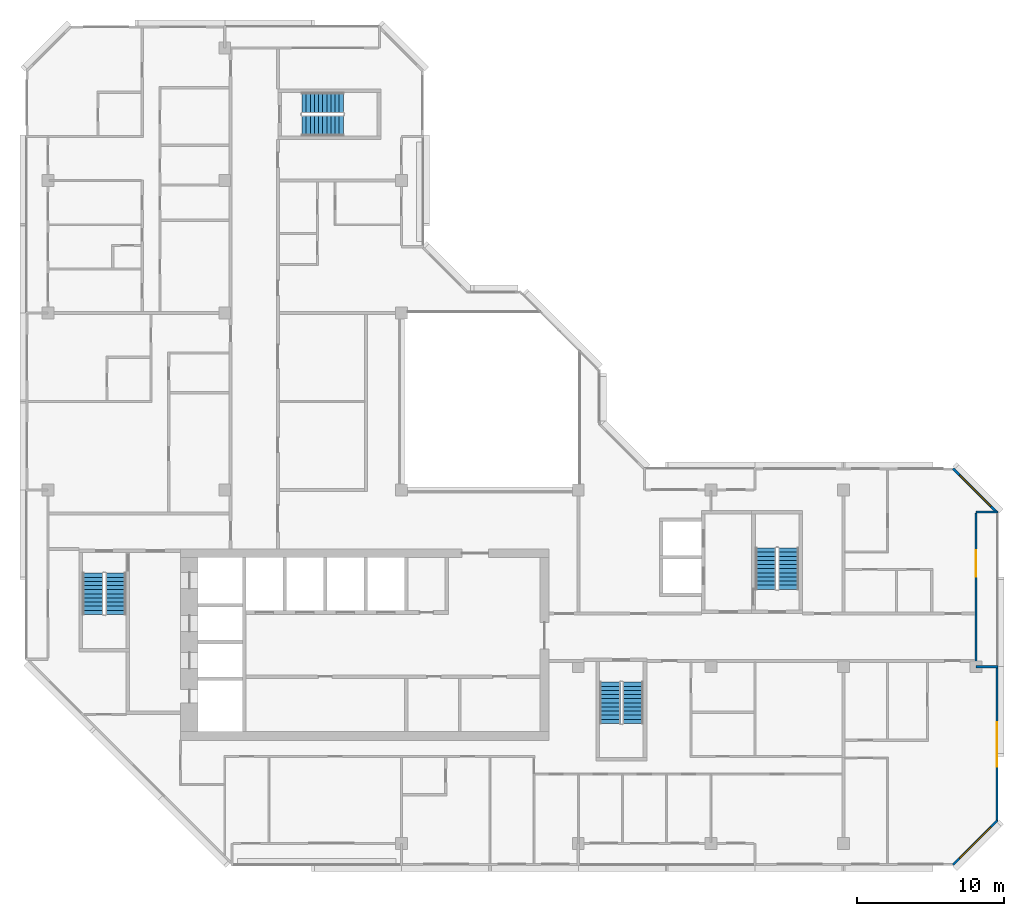
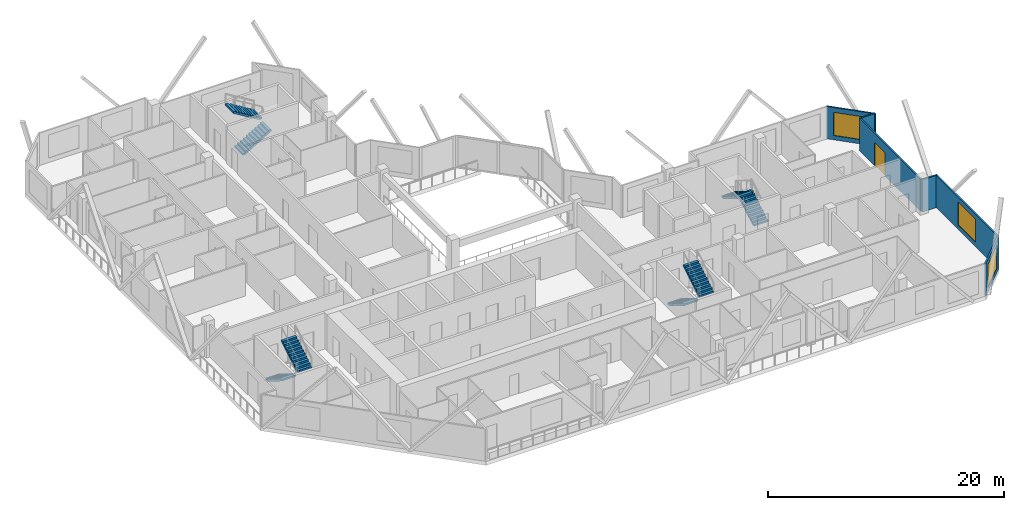
# One storey, part 11 of 13: 8 stair flights, 6 walls, 3 windows, 1 door, 4 openings, 4 elements without a shape of their own.
"""IFC4 building model written with IfcOpenShell, lengths in metres."""

from ifc_helpers import new_model, si_unit, direction, frame, frame_2d, origin, place, context, subcontext, project, spatial, polyline, rectangle, outline, extrude, material, layer, layer_set, type_object, element, fill, aggregate, save


model = new_model("IFC4")

# Units and contexts
model_context = context("Model", 3, precision=1e-05, world=origin(), true_north=direction((0.0, 1.0)))
body_context = subcontext(model_context, "Body", "Model", "MODEL_VIEW")
ifc_project = project(units=[si_unit("LENGTHUNIT", "METRE"), si_unit("AREAUNIT", "SQUARE_METRE"), si_unit("VOLUMEUNIT", "CUBIC_METRE"), si_unit("PLANEANGLEUNIT", "RADIAN"), si_unit("MASSUNIT", "GRAM", prefix="KILO")], contexts=[model_context])

# Site, building, storey
site_placement = place(None, origin())
site = spatial("IfcSite", under=ifc_project, at=site_placement, CompositionType="ELEMENT")
building_placement = place(site_placement, origin())
building = spatial("IfcBuilding", under=site, at=building_placement, Name="Chenar Terraces", CompositionType="ELEMENT")
storey_placement = place(building_placement, frame((0.0, 0.0, 295.89990234375)))
storey = spatial("IfcBuildingStorey", under=building, at=storey_placement, Name="L69", CompositionType="ELEMENT", Elevation=295.89990234375)

# Wall, opening, window
ifc_material_1 = material(Name="Aluminium framed glazing", Category="aluminium")
ifc_layer_1 = layer(ifc_material_1, 0.14990234375)
ifc_layer_set_1 = layer_set([ifc_layer_1], Name="Aluminium framed glazing")
wall_type_1 = type_object("IfcWallType", Name="Glazed flush facade wall 150", PredefinedType="SOLIDWALL", material=ifc_layer_set_1)
wall_1_placement = place(storey_placement, frame((64.425048828125, 1.5, 0.0), z_axis=(0.0, 0.0, 1.0), x_axis=(0.0, 1.0, 0.0)))
wall_1 = element("IfcWall", 1, at=wall_1_placement, inside=storey, type_object=wall_type_1, Name="Glazed flush facade wall", PredefinedType="SOLIDWALL", context=body_context, shape_type="SweptSolid", body=[
    extrude(rectangle(XDim=10.425048828125, YDim=0.14990234375, at=frame_2d((5.21240234375, 0.0))), origin(), (0.0, 0.0, 1.0), 3.35009765625),
])
opening_1_placement = place(wall_1_placement, frame((3.71240234375, 0.0, 0.449951171875)))
opening_1 = element("IfcOpeningElement", 2, at=opening_1_placement, cuts=wall_1, Name="Opening W300x240", PredefinedType="OPENING", context=body_context, shape_type="SweptSolid", body=[
    extrude(rectangle(XDim=3.0, YDim=2.39990234375, at=frame_2d((1.5, 1.199951171875))), frame((0.0, 0.0849609375, 0.0), z_axis=(0.0, -1.0, 0.0), x_axis=(1.0, 0.0, 0.0)), (0.0, 0.0, 1.0), 0.169921875),
])
ifc_material_2 = material(Name="Low emissivity double glazing, aluminium frame", Category="aluminium")
window_type = type_object("IfcWindowType", Name="Fixed light 3000 x 2400", PartitioningType="SINGLE_PANEL", PredefinedType="WINDOW", material=ifc_material_2)
window_1_placement = place(opening_1_placement, origin())
window_1 = element("IfcWindow", 3, at=window_1_placement, inside=storey, type_object=window_type, Name="Window", OverallHeight=2.39990234375, OverallWidth=3.0, PartitioningType="SINGLE_PANEL", PredefinedType="WINDOW", context=body_context, shape_type="SweptSolid", body=[
    extrude(rectangle(XDim=3.0, YDim=2.39990234375, at=frame_2d((1.5, 1.199951171875))), frame((0.0, 0.030029296875, 0.0), z_axis=(0.0, -1.0, 0.0), x_axis=(1.0, 0.0, 0.0)), (0.0, 0.0, 1.0), 0.06005859375),
])
fill(opening_1, window_1)

# Wall, opening, door
ifc_material_3 = material(Name="Aluminium framed glazing", Category="aluminium")
ifc_layer_2 = layer(ifc_material_3, 0.14990234375)
ifc_layer_set_2 = layer_set([ifc_layer_2], Name="Aluminium framed glazing")
wall_type_2 = type_object("IfcWallType", Name="Glazed loggia back wall 150", PredefinedType="SOLIDWALL", material=ifc_layer_set_2)
wall_2_placement = place(storey_placement, frame((63.0, 12.074951171875, 0.0), z_axis=(0.0, 0.0, 1.0), x_axis=(0.0, 1.0, 0.0)))
wall_2 = element("IfcWall", 4, at=wall_2_placement, inside=storey, type_object=wall_type_2, Name="Glazed loggia back wall", PredefinedType="SOLIDWALL", context=body_context, shape_type="SweptSolid", body=[
    extrude(rectangle(XDim=10.35009765625, YDim=0.14990234375, at=frame_2d((5.175048828125, 0.0))), origin(), (0.0, 0.0, 1.0), 3.35009765625),
])
opening_2_placement = place(wall_2_placement, frame((6.03759765625, 0.0, 0.0)))
opening_2 = element("IfcOpeningElement", 5, at=opening_2_placement, cuts=wall_2, Name="Opening DL69-G6", PredefinedType="OPENING", context=body_context, shape_type="SweptSolid", body=[
    extrude(rectangle(XDim=1.800048828125, YDim=2.39990234375, at=frame_2d((0.89990234375, 1.199951171875))), frame((0.0, 0.0849609375, 0.0), z_axis=(0.0, -1.0, 0.0), x_axis=(1.0, 0.0, 0.0)), (0.0, 0.0, 1.0), 0.169921875),
])
ifc_material_4 = material(Name="Low emissivity double glazing, aluminium frame", Category="aluminium")
door_type = type_object("IfcDoorType", Name="Loggia glazed double door 1800 x 2400", OperationType="DOUBLE_DOOR_SINGLE_SWING", PredefinedType="DOOR", material=ifc_material_4)
door_placement = place(opening_2_placement, frame((1.800048828125, 0.0, 0.0), z_axis=(0.0, 0.0, 1.0), x_axis=(-1.0, 0.0, 0.0)))
door = element("IfcDoor", 6, at=door_placement, inside=storey, type_object=door_type, Name="Loggia glazed door", OperationType="DOUBLE_DOOR_SINGLE_SWING", OverallHeight=2.39990234375, OverallWidth=1.800048828125, PredefinedType="DOOR", context=body_context, shape_type="SweptSolid", body=[
    extrude(rectangle(XDim=1.800048828125, YDim=2.39990234375, at=frame_2d((0.89990234375, 1.199951171875))), frame((0.0, 0.02490234375, 0.0), z_axis=(0.0, -1.0, 0.0), x_axis=(1.0, 0.0, 0.0)), (0.0, 0.0, 1.0), 0.050048828125),
])
fill(opening_2, door)

# Walls
ifc_material_5 = material(Name="Terracotta cladding on insulated backing", Category="masonry")
ifc_layer_3 = layer(ifc_material_5, 0.14990234375)
ifc_layer_set_3 = layer_set([ifc_layer_3], Name="Terracotta cladding on insulated backing")
wall_type_3 = type_object("IfcWallType", Name="Loggia return wall 150", PredefinedType="SOLIDWALL", material=ifc_layer_set_3)
for number, where, z_axis, x_axis, name in (
    (7, (64.5, 12.0, 0.0), (0.0, 0.0, 1.0), (-1.0, 0.0, 0.0), "Loggia return wall"),
    (8, (64.5, 22.5, 0.0), (0.0, 0.0, 1.0), (-1.0, 0.0, 0.0), "Loggia return wall"),
):
    element("IfcWall", number, at=place(storey_placement, frame(where, z_axis=z_axis, x_axis=x_axis)), inside=storey, type_object=wall_type_3, Name=name, PredefinedType="SOLIDWALL", context=body_context, shape_type="SweptSolid", body=[
        extrude(rectangle(XDim=1.5, YDim=0.14990234375, at=frame_2d((0.75, 0.0))), origin(), (0.0, 0.0, 1.0), 3.35009765625),
    ])

# Wall, opening, window
ifc_material_6 = material(Name="Terracotta cladding on insulated backing", Category="masonry")
ifc_layer_4 = layer(ifc_material_6, 0.14990234375)
ifc_layer_set_4 = layer_set([ifc_layer_4], Name="Terracotta cladding on insulated backing")
wall_type_4 = type_object("IfcWallType", Name="Terracotta rainscreen wall 150", PredefinedType="SOLIDWALL", material=ifc_layer_set_4)
wall_3_placement = place(storey_placement, frame((61.447021484375, -1.447021484375, 0.0), z_axis=(0.0, 0.0, 1.0), x_axis=(0.707106781187, 0.707106781187, 0.0)))
wall_3 = element("IfcWall", 9, at=wall_3_placement, inside=storey, type_object=wall_type_4, Name="Terracotta rainscreen wall", PredefinedType="SOLIDWALL", context=body_context, shape_type="SweptSolid", body=[
    extrude(rectangle(XDim=4.24267578125, YDim=0.14990234375, at=frame_2d((2.121337890625, 0.0))), origin(), (0.0, 0.0, 1.0), 3.35009765625),
])
opening_3_placement = place(wall_3_placement, frame((0.621337890625, 0.0, 0.449951171875)))
opening_3 = element("IfcOpeningElement", 10, at=opening_3_placement, cuts=wall_3, Name="Opening W300x240", PredefinedType="OPENING", context=body_context, shape_type="SweptSolid", body=[
    extrude(rectangle(XDim=3.0, YDim=2.39990234375, at=frame_2d((1.5, 1.199951171875))), frame((0.0, 0.0849609375, 0.0), z_axis=(0.0, -1.0, 0.0), x_axis=(1.0, 0.0, 0.0)), (0.0, 0.0, 1.0), 0.169921875),
])
window_2_placement = place(opening_3_placement, origin())
window_2 = element("IfcWindow", 11, at=window_2_placement, inside=storey, type_object=window_type, Name="Window", OverallHeight=2.39990234375, OverallWidth=3.0, PartitioningType="SINGLE_PANEL", PredefinedType="WINDOW", context=body_context, shape_type="SweptSolid", body=[
    extrude(rectangle(XDim=3.0, YDim=2.39990234375, at=frame_2d((1.5, 1.199951171875))), frame((0.0, 0.030029296875, 0.0), z_axis=(0.0, -1.0, 0.0), x_axis=(1.0, 0.0, 0.0)), (0.0, 0.0, 1.0), 0.06005859375),
])
fill(opening_3, window_2)

wall_4_placement = place(storey_placement, frame((64.447021484375, 22.447021484375, 0.0), z_axis=(0.0, 0.0, 1.0), x_axis=(-0.707106781187, 0.707106781187, 0.0)))
wall_4 = element("IfcWall", 12, at=wall_4_placement, inside=storey, type_object=wall_type_4, Name="Terracotta rainscreen wall", PredefinedType="SOLIDWALL", context=body_context, shape_type="SweptSolid", body=[
    extrude(rectangle(XDim=4.24267578125, YDim=0.14990234375, at=frame_2d((2.121337890625, 0.0))), origin(), (0.0, 0.0, 1.0), 3.35009765625),
])
opening_4_placement = place(wall_4_placement, frame((0.621337890625, 0.0, 0.449951171875)))
opening_4 = element("IfcOpeningElement", 13, at=opening_4_placement, cuts=wall_4, Name="Opening W300x240", PredefinedType="OPENING", context=body_context, shape_type="SweptSolid", body=[
    extrude(rectangle(XDim=3.0, YDim=2.39990234375, at=frame_2d((1.5, 1.199951171875))), frame((0.0, 0.0849609375, 0.0), z_axis=(0.0, -1.0, 0.0), x_axis=(1.0, 0.0, 0.0)), (0.0, 0.0, 1.0), 0.169921875),
])
window_3_placement = place(opening_4_placement, origin())
window_3 = element("IfcWindow", 14, at=window_3_placement, inside=storey, type_object=window_type, Name="Window", OverallHeight=2.39990234375, OverallWidth=3.0, PartitioningType="SINGLE_PANEL", PredefinedType="WINDOW", context=body_context, shape_type="SweptSolid", body=[
    extrude(rectangle(XDim=3.0, YDim=2.39990234375, at=frame_2d((1.5, 1.199951171875))), frame((0.0, 0.030029296875, 0.0), z_axis=(0.0, -1.0, 0.0), x_axis=(1.0, 0.0, 0.0)), (0.0, 0.0, 1.0), 0.06005859375),
])
fill(opening_4, window_3)

# Stair, stair flights
ifc_material_7 = material(Name="Reinforced concrete C40/50", Category="concrete")
stair_type = type_object("IfcStairType", Name="Core stair 1400 half-turn", PredefinedType="HALF_TURN_STAIR", material=ifc_material_7)
placement = place(storey_placement, origin())
stair_1 = element("IfcStair", 15, at=placement, inside=storey, type_object=stair_type, Name="L69 Stair 1", PredefinedType="HALF_TURN_STAIR")
ifc_material_8 = material(Name="Reinforced concrete C40/50", Category="concrete")
stair_flight_type = type_object("IfcStairFlightType", Name="Core stair flight 1400", PredefinedType="STRAIGHT", material=ifc_material_8)
stair_flight_1_placement = place(storey_placement, frame((3.050048828125, 18.35009765625, 0.0), z_axis=(0.0, 0.0, 1.0), x_axis=(0.0, -1.0, 0.0)))
stair_flight_1 = element("IfcStairFlight", 16, at=stair_flight_1_placement, type_object=stair_flight_type, Name="ST1 flight 1", NumberOfRisers=11, NumberOfTreads=10, PredefinedType="STRAIGHT", RiserHeight=0.170454545, TreadLength=0.28, context=body_context, shape_type="SweptSolid", body=[
    extrude(outline(polyline([(-0.0029296875, 0.0), (-0.0029296875, 0.17041015625), (0.0, 0.17041015625), (0.280029296875, 0.17041015625), (0.280029296875, 0.3408203125), (0.56005859375, 0.3408203125), (0.56005859375, 0.511474609375), (0.840087890625, 0.511474609375), (0.840087890625, 0.681884765625), (1.1201171875, 0.681884765625), (1.1201171875, 0.852294921875), (1.39990234375, 0.852294921875), (1.39990234375, 1.022705078125), (1.679931640625, 1.022705078125), (1.679931640625, 1.193115234375), (1.9599609375, 1.193115234375), (1.9599609375, 1.363525390625), (2.239990234375, 1.363525390625), (2.239990234375, 1.5341796875), (2.52001953125, 1.5341796875), (2.52001953125, 1.70458984375), (2.800048828125, 1.70458984375), (2.802978515625, 1.70458984375), (2.802978515625, 1.529052734375), (2.800048828125, 1.529052734375), (0.288330078125, 0.0), (-0.0029296875, 0.0)])), frame((0.0, 0.699951171875, 0.0), z_axis=(0.0, -1.0, 0.0), x_axis=(1.0, 0.0, 0.0)), (0.0, 0.0, 1.0), 1.39990234375),
])
stair_flight_2_placement = place(storey_placement, frame((4.60009765625, 15.550048828125, 1.875), z_axis=(0.0, 0.0, 1.0), x_axis=(0.0, 1.0, 0.0)))
stair_flight_2 = element("IfcStairFlight", 17, at=stair_flight_2_placement, type_object=stair_flight_type, Name="ST1 flight 2", NumberOfRisers=11, NumberOfTreads=10, PredefinedType="STRAIGHT", RiserHeight=0.170454545, TreadLength=0.28, context=body_context, shape_type="SweptSolid", body=[
    extrude(outline(polyline([(-0.0029296875, 0.0), (-0.0029296875, 0.17041015625), (0.0, 0.17041015625), (0.280029296875, 0.17041015625), (0.280029296875, 0.3408203125), (0.56005859375, 0.3408203125), (0.56005859375, 0.511474609375), (0.840087890625, 0.511474609375), (0.840087890625, 0.681884765625), (1.1201171875, 0.681884765625), (1.1201171875, 0.852294921875), (1.39990234375, 0.852294921875), (1.39990234375, 1.022705078125), (1.679931640625, 1.022705078125), (1.679931640625, 1.193115234375), (1.9599609375, 1.193115234375), (1.9599609375, 1.363525390625), (2.239990234375, 1.363525390625), (2.239990234375, 1.5341796875), (2.52001953125, 1.5341796875), (2.52001953125, 1.70458984375), (2.800048828125, 1.70458984375), (2.802978515625, 1.70458984375), (2.802978515625, 1.529052734375), (2.800048828125, 1.529052734375), (0.288330078125, 0.0), (-0.0029296875, 0.0)])), frame((0.0, 0.699951171875, 0.0), z_axis=(0.0, -1.0, 0.0), x_axis=(1.0, 0.0, 0.0)), (0.0, 0.0, 1.0), 1.39990234375),
])
aggregate(stair_1, [stair_flight_1, stair_flight_2])

stair_2 = element("IfcStair", 18, at=placement, inside=storey, type_object=stair_type, Name="L69 Stair 2", PredefinedType="HALF_TURN_STAIR")
stair_flight_3_placement = place(storey_placement, frame((38.14990234375, 10.949951171875, 0.0), z_axis=(0.0, 0.0, 1.0), x_axis=(0.0, -1.0, 0.0)))
stair_flight_3 = element("IfcStairFlight", 19, at=stair_flight_3_placement, type_object=stair_flight_type, Name="ST2 flight 1", NumberOfRisers=11, NumberOfTreads=10, PredefinedType="STRAIGHT", RiserHeight=0.170454545, TreadLength=0.28, context=body_context, shape_type="SweptSolid", body=[
    extrude(outline(polyline([(-0.0029296875, 0.0), (-0.0029296875, 0.17041015625), (0.0, 0.17041015625), (0.280029296875, 0.17041015625), (0.280029296875, 0.3408203125), (0.56005859375, 0.3408203125), (0.56005859375, 0.511474609375), (0.840087890625, 0.511474609375), (0.840087890625, 0.681884765625), (1.1201171875, 0.681884765625), (1.1201171875, 0.852294921875), (1.39990234375, 0.852294921875), (1.39990234375, 1.022705078125), (1.679931640625, 1.022705078125), (1.679931640625, 1.193115234375), (1.9599609375, 1.193115234375), (1.9599609375, 1.363525390625), (2.239990234375, 1.363525390625), (2.239990234375, 1.5341796875), (2.52001953125, 1.5341796875), (2.52001953125, 1.70458984375), (2.800048828125, 1.70458984375), (2.802978515625, 1.70458984375), (2.802978515625, 1.529052734375), (2.800048828125, 1.529052734375), (0.288330078125, 0.0), (-0.0029296875, 0.0)])), frame((0.0, 0.699951171875, 0.0), z_axis=(0.0, -1.0, 0.0), x_axis=(1.0, 0.0, 0.0)), (0.0, 0.0, 1.0), 1.39990234375),
])
stair_flight_4_placement = place(storey_placement, frame((39.699951171875, 8.14990234375, 1.875), z_axis=(0.0, 0.0, 1.0), x_axis=(0.0, 1.0, 0.0)))
stair_flight_4 = element("IfcStairFlight", 20, at=stair_flight_4_placement, type_object=stair_flight_type, Name="ST2 flight 2", NumberOfRisers=11, NumberOfTreads=10, PredefinedType="STRAIGHT", RiserHeight=0.170454545, TreadLength=0.28, context=body_context, shape_type="SweptSolid", body=[
    extrude(outline(polyline([(-0.0029296875, 0.0), (-0.0029296875, 0.17041015625), (0.0, 0.17041015625), (0.280029296875, 0.17041015625), (0.280029296875, 0.3408203125), (0.56005859375, 0.3408203125), (0.56005859375, 0.511474609375), (0.840087890625, 0.511474609375), (0.840087890625, 0.681884765625), (1.1201171875, 0.681884765625), (1.1201171875, 0.852294921875), (1.39990234375, 0.852294921875), (1.39990234375, 1.022705078125), (1.679931640625, 1.022705078125), (1.679931640625, 1.193115234375), (1.9599609375, 1.193115234375), (1.9599609375, 1.363525390625), (2.239990234375, 1.363525390625), (2.239990234375, 1.5341796875), (2.52001953125, 1.5341796875), (2.52001953125, 1.70458984375), (2.800048828125, 1.70458984375), (2.802978515625, 1.70458984375), (2.802978515625, 1.529052734375), (2.800048828125, 1.529052734375), (0.288330078125, 0.0), (-0.0029296875, 0.0)])), frame((0.0, 0.699951171875, 0.0), z_axis=(0.0, -1.0, 0.0), x_axis=(1.0, 0.0, 0.0)), (0.0, 0.0, 1.0), 1.39990234375),
])
aggregate(stair_2, [stair_flight_3, stair_flight_4])

stair_3 = element("IfcStair", 21, at=placement, inside=storey, type_object=stair_type, Name="L69 Stair 3", PredefinedType="HALF_TURN_STAIR")
stair_flight_5_placement = place(storey_placement, frame((50.27490234375, 17.25, 0.0), z_axis=(0.0, 0.0, 1.0), x_axis=(0.0, 1.0, 0.0)))
stair_flight_5 = element("IfcStairFlight", 22, at=stair_flight_5_placement, type_object=stair_flight_type, Name="ST3 flight 1", NumberOfRisers=11, NumberOfTreads=10, PredefinedType="STRAIGHT", RiserHeight=0.170454545, TreadLength=0.28, context=body_context, shape_type="SweptSolid", body=[
    extrude(outline(polyline([(-0.0029296875, 0.0), (-0.0029296875, 0.17041015625), (0.0, 0.17041015625), (0.280029296875, 0.17041015625), (0.280029296875, 0.3408203125), (0.56005859375, 0.3408203125), (0.56005859375, 0.511474609375), (0.840087890625, 0.511474609375), (0.840087890625, 0.681884765625), (1.1201171875, 0.681884765625), (1.1201171875, 0.852294921875), (1.39990234375, 0.852294921875), (1.39990234375, 1.022705078125), (1.679931640625, 1.022705078125), (1.679931640625, 1.193115234375), (1.9599609375, 1.193115234375), (1.9599609375, 1.363525390625), (2.239990234375, 1.363525390625), (2.239990234375, 1.5341796875), (2.52001953125, 1.5341796875), (2.52001953125, 1.70458984375), (2.800048828125, 1.70458984375), (2.802978515625, 1.70458984375), (2.802978515625, 1.529052734375), (2.800048828125, 1.529052734375), (0.288330078125, 0.0), (-0.0029296875, 0.0)])), frame((0.0, 0.699951171875, 0.0), z_axis=(0.0, -1.0, 0.0), x_axis=(1.0, 0.0, 0.0)), (0.0, 0.0, 1.0), 1.39990234375),
])
stair_flight_6_placement = place(storey_placement, frame((48.72509765625, 20.050048828125, 1.875), z_axis=(0.0, 0.0, 1.0), x_axis=(0.0, -1.0, 0.0)))
stair_flight_6 = element("IfcStairFlight", 23, at=stair_flight_6_placement, type_object=stair_flight_type, Name="ST3 flight 2", NumberOfRisers=11, NumberOfTreads=10, PredefinedType="STRAIGHT", RiserHeight=0.170454545, TreadLength=0.28, context=body_context, shape_type="SweptSolid", body=[
    extrude(outline(polyline([(-0.0029296875, 0.0), (-0.0029296875, 0.17041015625), (0.0, 0.17041015625), (0.280029296875, 0.17041015625), (0.280029296875, 0.3408203125), (0.56005859375, 0.3408203125), (0.56005859375, 0.511474609375), (0.840087890625, 0.511474609375), (0.840087890625, 0.681884765625), (1.1201171875, 0.681884765625), (1.1201171875, 0.852294921875), (1.39990234375, 0.852294921875), (1.39990234375, 1.022705078125), (1.679931640625, 1.022705078125), (1.679931640625, 1.193115234375), (1.9599609375, 1.193115234375), (1.9599609375, 1.363525390625), (2.239990234375, 1.363525390625), (2.239990234375, 1.5341796875), (2.52001953125, 1.5341796875), (2.52001953125, 1.70458984375), (2.800048828125, 1.70458984375), (2.802978515625, 1.70458984375), (2.802978515625, 1.529052734375), (2.800048828125, 1.529052734375), (0.288330078125, 0.0), (-0.0029296875, 0.0)])), frame((0.0, 0.699951171875, 0.0), z_axis=(0.0, -1.0, 0.0), x_axis=(1.0, 0.0, 0.0)), (0.0, 0.0, 1.0), 1.39990234375),
])
aggregate(stair_3, [stair_flight_5, stair_flight_6])

stair_4 = element("IfcStair", 24, at=placement, inside=storey, type_object=stair_type, Name="L69 Stair 4", PredefinedType="HALF_TURN_STAIR")
stair_flight_7_placement = place(storey_placement, frame((17.25, 48.72509765625, 0.0), z_axis=(0.0, 0.0, 1.0), x_axis=(1.0, 0.0, 0.0)))
stair_flight_7 = element("IfcStairFlight", 25, at=stair_flight_7_placement, type_object=stair_flight_type, Name="ST4 flight 1", NumberOfRisers=11, NumberOfTreads=10, PredefinedType="STRAIGHT", RiserHeight=0.170454545, TreadLength=0.28, context=body_context, shape_type="SweptSolid", body=[
    extrude(outline(polyline([(-0.0029296875, 0.0), (-0.0029296875, 0.17041015625), (0.0, 0.17041015625), (0.280029296875, 0.17041015625), (0.280029296875, 0.3408203125), (0.56005859375, 0.3408203125), (0.56005859375, 0.511474609375), (0.840087890625, 0.511474609375), (0.840087890625, 0.681884765625), (1.1201171875, 0.681884765625), (1.1201171875, 0.852294921875), (1.39990234375, 0.852294921875), (1.39990234375, 1.022705078125), (1.679931640625, 1.022705078125), (1.679931640625, 1.193115234375), (1.9599609375, 1.193115234375), (1.9599609375, 1.363525390625), (2.239990234375, 1.363525390625), (2.239990234375, 1.5341796875), (2.52001953125, 1.5341796875), (2.52001953125, 1.70458984375), (2.800048828125, 1.70458984375), (2.802978515625, 1.70458984375), (2.802978515625, 1.529052734375), (2.800048828125, 1.529052734375), (0.288330078125, 0.0), (-0.0029296875, 0.0)])), frame((0.0, 0.699951171875, 0.0), z_axis=(0.0, -1.0, 0.0), x_axis=(1.0, 0.0, 0.0)), (0.0, 0.0, 1.0), 1.39990234375),
])
stair_flight_8_placement = place(storey_placement, frame((20.050048828125, 50.27490234375, 1.875), z_axis=(0.0, 0.0, 1.0), x_axis=(-1.0, 0.0, 0.0)))
stair_flight_8 = element("IfcStairFlight", 26, at=stair_flight_8_placement, type_object=stair_flight_type, Name="ST4 flight 2", NumberOfRisers=11, NumberOfTreads=10, PredefinedType="STRAIGHT", RiserHeight=0.170454545, TreadLength=0.28, context=body_context, shape_type="SweptSolid", body=[
    extrude(outline(polyline([(-0.0029296875, 0.0), (-0.0029296875, 0.17041015625), (0.0, 0.17041015625), (0.280029296875, 0.17041015625), (0.280029296875, 0.3408203125), (0.56005859375, 0.3408203125), (0.56005859375, 0.511474609375), (0.840087890625, 0.511474609375), (0.840087890625, 0.681884765625), (1.1201171875, 0.681884765625), (1.1201171875, 0.852294921875), (1.39990234375, 0.852294921875), (1.39990234375, 1.022705078125), (1.679931640625, 1.022705078125), (1.679931640625, 1.193115234375), (1.9599609375, 1.193115234375), (1.9599609375, 1.363525390625), (2.239990234375, 1.363525390625), (2.239990234375, 1.5341796875), (2.52001953125, 1.5341796875), (2.52001953125, 1.70458984375), (2.800048828125, 1.70458984375), (2.802978515625, 1.70458984375), (2.802978515625, 1.529052734375), (2.800048828125, 1.529052734375), (0.288330078125, 0.0), (-0.0029296875, 0.0)])), frame((0.0, 0.699951171875, 0.0), z_axis=(0.0, -1.0, 0.0), x_axis=(1.0, 0.0, 0.0)), (0.0, 0.0, 1.0), 1.39990234375),
])
aggregate(stair_4, [stair_flight_7, stair_flight_8])

save(model, "model.ifc")
